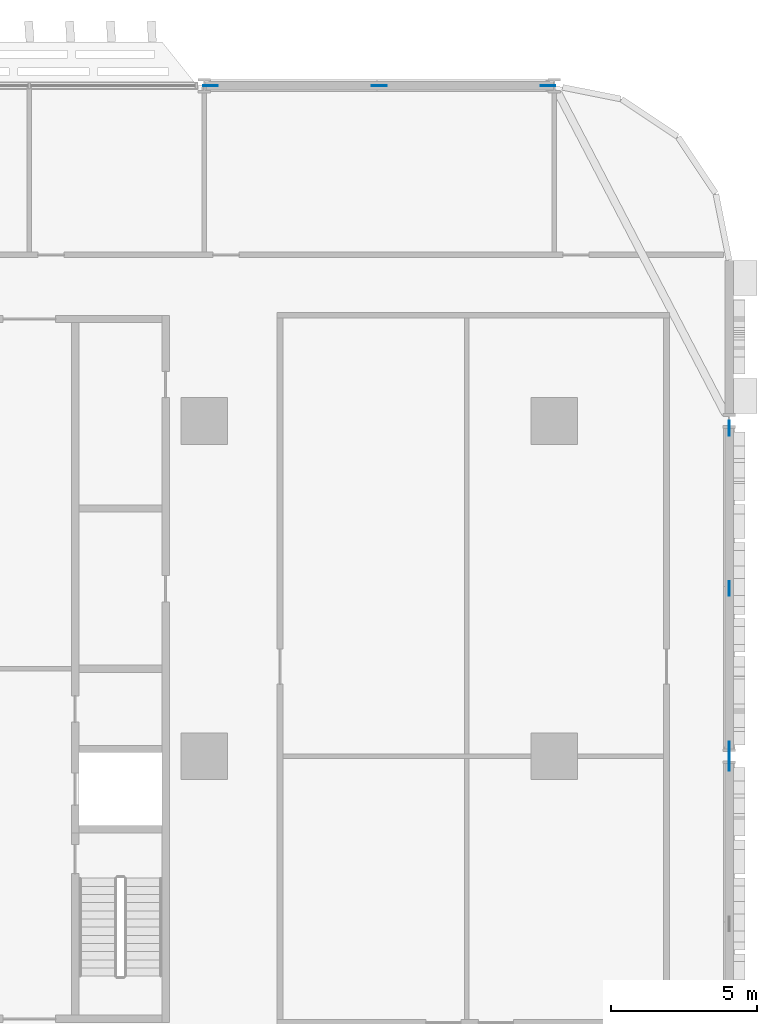
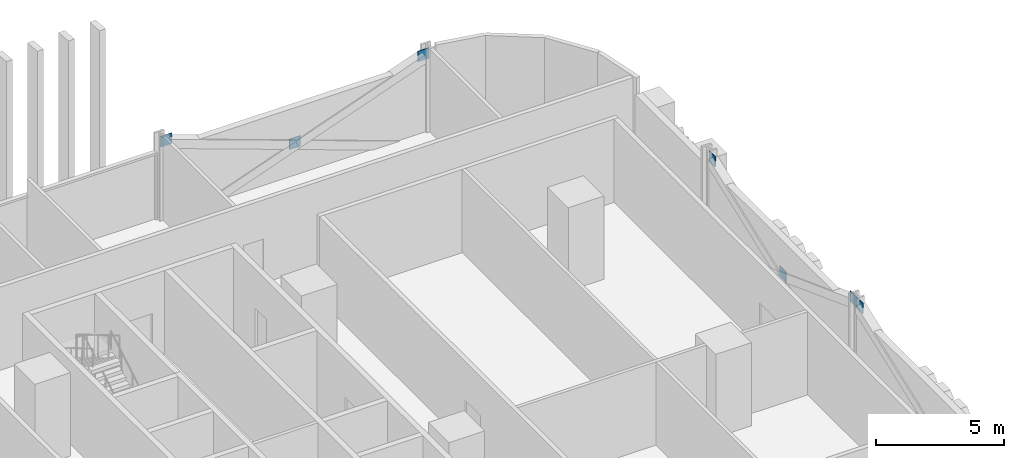
# One storey, part 22 of 31: 7 discrete accessories.
"""IFC4 building model written with IfcOpenShell, lengths in metres."""

from ifc_helpers import new_model, si_unit, direction, frame, origin, origin_2d, place, context, subcontext, project, spatial, rectangle, extrude, material, layer, layer_set, type_object, element, save


model = new_model("IFC4")

# Units and contexts
model_context = context("Model", 3, precision=1e-05, world=origin(), true_north=direction((0.0, 1.0)))
body_context = subcontext(model_context, "Body", "Model", "MODEL_VIEW")
ifc_project = project(units=[si_unit("LENGTHUNIT", "METRE"), si_unit("AREAUNIT", "SQUARE_METRE"), si_unit("VOLUMEUNIT", "CUBIC_METRE"), si_unit("PLANEANGLEUNIT", "RADIAN"), si_unit("MASSUNIT", "GRAM", prefix="KILO")], contexts=[model_context])

# Site, building, storey
site_placement = place(None, origin())
site = spatial("IfcSite", under=ifc_project, at=site_placement, CompositionType="ELEMENT")
building_placement = place(site_placement, origin())
building = spatial("IfcBuilding", under=site, at=building_placement, Name="Mahtab Terrace Research Tower", CompositionType="ELEMENT")
storey_placement = place(building_placement, frame((0.0, 0.0, 11.5)))
storey = spatial("IfcBuildingStorey", under=building, at=storey_placement, Name="L02", CompositionType="ELEMENT", Elevation=11.5)

# Discrete accessories
ifc_material = material(Name="Steel ASTM A992 Gr 50", Category="steel")
ifc_layer = layer(ifc_material, 0.030029296875)
ifc_layer_set = layer_set([ifc_layer], Name="Gusset plate 500x500x30")
discrete_accessory_type = type_object("IfcDiscreteAccessoryType", Name="Gusset plate 500x500x30", PredefinedType="USERDEFINED", material=ifc_layer_set)
for number, where, z_axis, x_axis, name in (
    (1, (30.2158203125, 23.0, 3.33154296875), (0.0, 0.0, 1.0), (1.0, 0.0, 0.0), "Gusset plate"),
    (2, (36.0, 23.0, 1.181640625), (0.0, 0.0, 1.0), (1.0, 0.0, 0.0), "Gusset plate"),
    (3, (41.7841796875, 23.0, 3.33154296875), (0.0, 0.0, 1.0), (1.0, 0.0, 0.0), "Gusset plate"),
    (4, (48.0, -0.248779296875, 3.33154296875), (0.0, 0.0, 1.0), (0.0, 1.0, 0.0), "Gusset plate"),
    (5, (48.0, 0.248779296875, 3.33154296875), (0.0, 0.0, 1.0), (0.0, 1.0, 0.0), "Gusset plate"),
    (6, (48.0, 5.75, 1.181396484375), (0.0, 0.0, 1.0), (0.0, 1.0, 0.0), "Gusset plate"),
    (7, (48.0, 11.251220703125, 3.33154296875), (0.0, 0.0, 1.0), (0.0, 1.0, 0.0), "Gusset plate"),
):
    element("IfcDiscreteAccessory", number, at=place(storey_placement, frame(where, z_axis=z_axis, x_axis=x_axis)), inside=storey, type_object=discrete_accessory_type, Name=name, ObjectType="GUSSET PLATE", PredefinedType="USERDEFINED", context=body_context, shape_type="SweptSolid", body=[
        extrude(rectangle(XDim=0.5, YDim=0.030029296875, at=origin_2d()), origin(), (0.0, 0.0, 1.0), 0.5),
    ])

save(model, "model.ifc")
